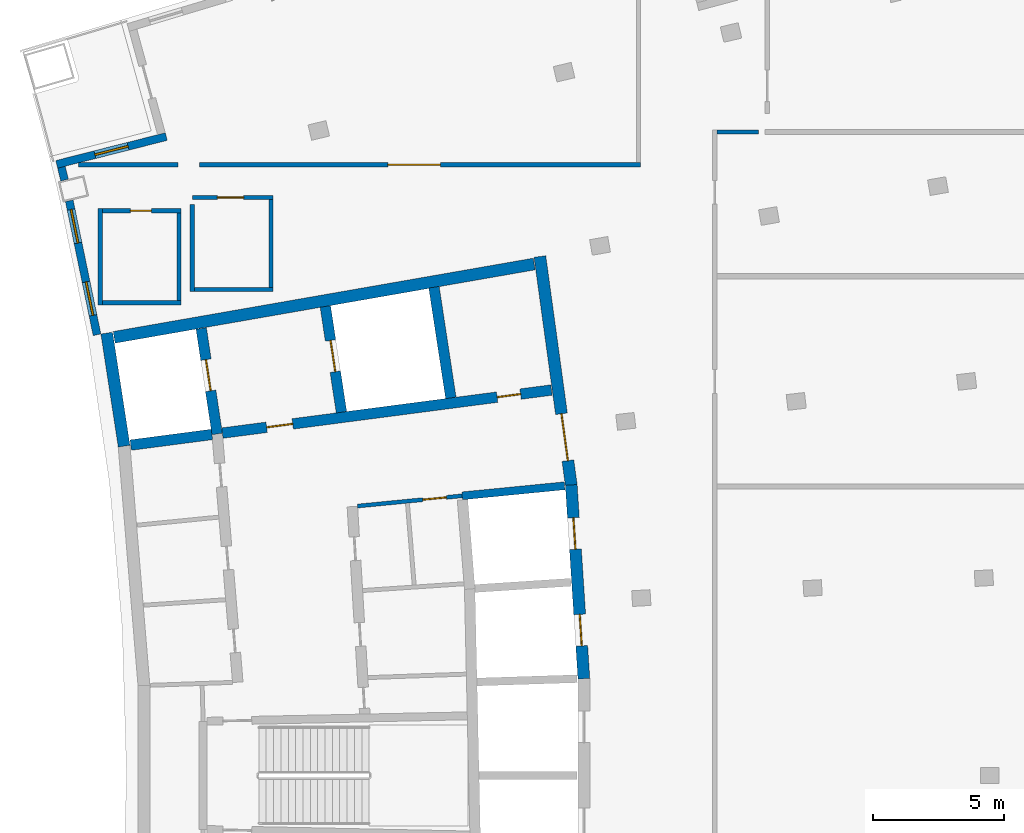
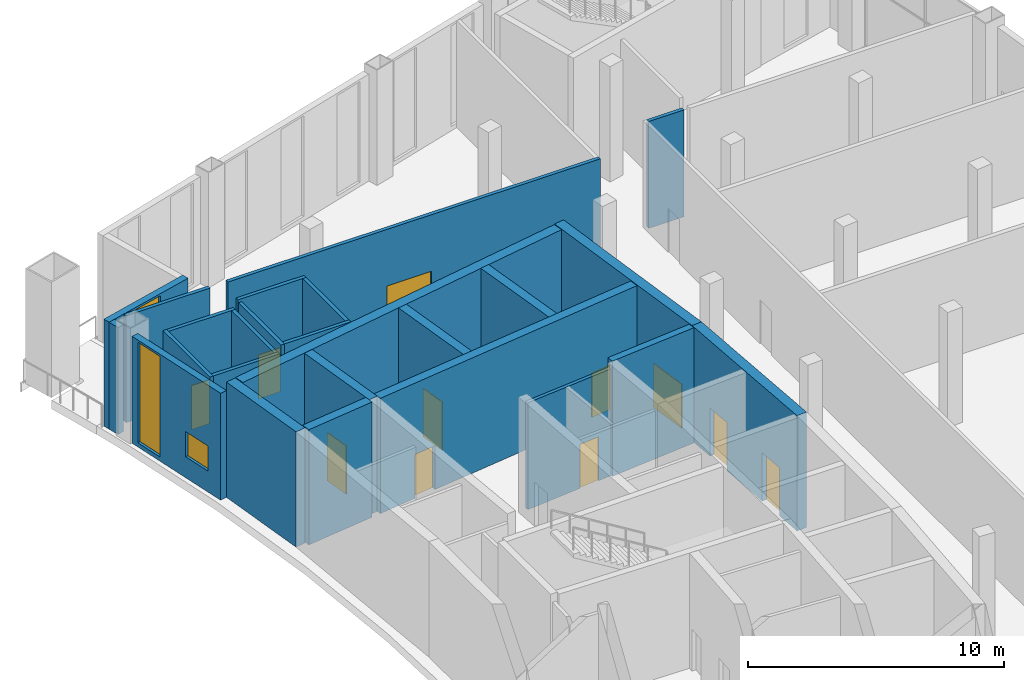
# One storey, part 9 of 13: 25 walls, 11 doors, 3 windows, 14 openings.
"""IFC4 building model written with IfcOpenShell, lengths in metres."""

import ifcopenshell
import ifcopenshell.guid

model = None  # the IFC model being written
_history = None  # IfcOwnerHistory: only IFC2X3 demands one
_inside = {}  # id of a spatial element -> (the spatial element, [elements in it])
_under = {}  # id of a project, library or spatial element -> (it, [spatial elements below it])
_declared = {}  # id of a project -> (the project, [libraries it declares])
_typed = {}  # id of a type object -> (the type object, [elements of that type])
_made_of = {}  # id of a material, layer set ... -> (it, [elements and type objects made of it])


def new_model(schema):
    """Start an empty IFC model of exactly this schema.

    Asked for "IFC4X3", IfcOpenShell would pick the latest addendum, in which some entities
    have other attributes; the version numbers below select the first issue.
    IFC2X3 requires an IfcOwnerHistory on every rooted entity: one is made here for all.
    """
    global model, _history
    if schema == "IFC4X3":
        model = ifcopenshell.file(schema_version=(4, 3, 0, 0))
    else:
        model = ifcopenshell.file(schema=schema)
    _inside.clear()
    _under.clear()
    _declared.clear()
    _typed.clear()
    _made_of.clear()
    _history = None
    if model.schema == "IFC2X3":
        org = make("IfcOrganization", Name="unknown")
        user = make(
            "IfcPersonAndOrganization",
            ThePerson=make("IfcPerson", FamilyName="unknown"),
            TheOrganization=org,
        )
        app = make(
            "IfcApplication",
            ApplicationDeveloper=org,
            Version="unknown",
            ApplicationFullName="unknown",
            ApplicationIdentifier="unknown",
        )
        _history = make(
            "IfcOwnerHistory",
            OwningUser=user,
            OwningApplication=app,
            ChangeAction="ADDED",
            CreationDate=0,
        )
    return model


def make(cls, **values):
    """One entity of the class cls with the attributes given. An attribute that is None is left unset."""
    return model.create_entity(
        cls, **{name: value for name, value in values.items() if value is not None}
    )


def rooted(cls, **values):
    """An entity with a GlobalId (a new one), such as an element, a storey or a relation."""
    return make(cls, GlobalId=ifcopenshell.guid.new(), OwnerHistory=_history, **values)


def si_unit(unit_type, name, prefix=None):
    """IfcSIUnit, for example si_unit("LENGTHUNIT", "METRE", prefix="MILLI")."""
    return make("IfcSIUnit", UnitType=unit_type, Prefix=prefix, Name=name)


def assignment(units):
    """IfcUnitAssignment: the units of a project."""
    return None if units is None else make("IfcUnitAssignment", Units=units)


def point(xyz):
    """IfcCartesianPoint."""
    return None if xyz is None else make("IfcCartesianPoint", Coordinates=xyz)


def direction(xyz):
    """IfcDirection."""
    return None if xyz is None else make("IfcDirection", DirectionRatios=xyz)


def frame(location, z_axis=None, x_axis=None):
    """IfcAxis2Placement3D, a coordinate frame: its origin and axes. An axis left out is left unset."""
    return make(
        "IfcAxis2Placement3D",
        Location=point(location),
        Axis=direction(z_axis),
        RefDirection=direction(x_axis),
    )


def frame_2d(location, x_axis=None):
    """IfcAxis2Placement2D, a coordinate frame in the plane: its origin and x axis."""
    return make(
        "IfcAxis2Placement2D", Location=point(location), RefDirection=direction(x_axis)
    )


def origin():
    """The frame at (0, 0, 0) with its axes left unset."""
    return frame((0.0, 0.0, 0.0))


def place(relative_to, where):
    """IfcLocalPlacement: puts the frame where relative to a parent placement (None: the world)."""
    return make(
        "IfcLocalPlacement", PlacementRelTo=relative_to, RelativePlacement=where
    )


def context(
    kind, dimensions, precision=None, world=None, true_north=None, identifier=None
):
    """IfcGeometricRepresentationContext, for example the 3D "Model" context."""
    return make(
        "IfcGeometricRepresentationContext",
        ContextIdentifier=identifier,
        ContextType=kind,
        CoordinateSpaceDimension=dimensions,
        Precision=precision,
        WorldCoordinateSystem=world,
        TrueNorth=true_north,
    )


def subcontext(parent, identifier, kind, view, scale=None):
    """IfcGeometricRepresentationSubContext, for example "Body" below "Model"."""
    return make(
        "IfcGeometricRepresentationSubContext",
        ContextIdentifier=identifier,
        ContextType=kind,
        ParentContext=parent,
        TargetScale=scale,
        TargetView=view,
    )


def project(units=None, contexts=None):
    """IfcProject with its units and contexts."""
    return rooted(
        "IfcProject",
        Name="project",
        RepresentationContexts=contexts,
        UnitsInContext=assignment(units),
    )


def spatial(cls, under=None, at=None, **own):
    """A site, building, storey or space (cls), placed at a placement, below another one or the project."""
    s = rooted(cls, ObjectPlacement=at, **own)
    if under is not None:
        _under.setdefault(under.id(), (under, []))[1].append(s)
    return s


def profile(cls, at=None, kind="AREA", **sizes):
    """A parametric profile (cls). Its sizes go by their IFC names, for example OverallWidth=200.0."""
    return make(cls, ProfileType=kind, Position=at, **sizes)


def rectangle(**sizes):
    """IfcRectangleProfileDef."""
    return profile("IfcRectangleProfileDef", **sizes)


def extrude(swept, where, along, depth):
    """IfcExtrudedAreaSolid: the profile swept, set in the frame where, extruded along a direction by depth."""
    return make(
        "IfcExtrudedAreaSolid",
        SweptArea=swept,
        Position=where,
        ExtrudedDirection=direction(along),
        Depth=depth,
    )


def shape(context_of_items, identifier, shape_type, items):
    """IfcShapeRepresentation: the items that make up one representation, for example the "Body"."""
    return make(
        "IfcShapeRepresentation",
        ContextOfItems=context_of_items,
        RepresentationIdentifier=identifier,
        RepresentationType=shape_type,
        Items=items,
    )


def material(Name=None, Category=None):
    """IfcMaterial."""
    return make("IfcMaterial", Name=Name, Category=Category)


def layer(
    of_material, thickness, ventilated=None, Name=None, Category=None, Priority=None
):
    """IfcMaterialLayer: one layer of a wall or slab, of a material (None: an air gap)."""
    return make(
        "IfcMaterialLayer",
        Material=of_material,
        LayerThickness=thickness,
        IsVentilated=ventilated,
        Name=Name,
        Category=Category,
        Priority=Priority,
    )


def layer_set(layers, Name=None):
    """IfcMaterialLayerSet."""
    return make("IfcMaterialLayerSet", MaterialLayers=layers, LayerSetName=Name)


def made_of(thing, what):
    """Note that an element or type object is made of a material, layer set ...; save() writes the relation."""
    if what is not None:
        _made_of.setdefault(what.id(), (what, []))[1].append(thing)
    return thing


def type_object(cls, material=None, **own):
    """A type object (cls), such as IfcWallType, which elements share."""
    return made_of(rooted(cls, **own), material)


def element(
    cls,
    number,
    at=None,
    inside=None,
    cuts=None,
    type_object=None,
    material=None,
    context=None,
    identifier="Body",
    shape_type=None,
    held_by="IfcProductDefinitionShape",
    body=None,
    shapes=None,
    **own,
):
    """One element of the class cls, such as IfcWall. Its Tag is "e" and its number.

    at: its placement. inside: the storey or other place that contains it. cuts: it is an
    opening in that element (IfcRelVoidsElement). A single representation is given by context,
    identifier, shape_type and body (its items); several are given by shapes. held_by: the class
    of the entity that holds the representations. save() writes the other relations.
    """
    e = rooted(cls, Tag="e%d" % number, ObjectPlacement=at, **own)
    if body is not None:
        shapes = [shape(context, identifier, shape_type, body)]
    if shapes is not None:
        e.Representation = make(held_by, Representations=shapes)
    if inside is not None:
        _inside.setdefault(inside.id(), (inside, []))[1].append(e)
    if cuts is not None:
        rooted(
            "IfcRelVoidsElement", RelatingBuildingElement=cuts, RelatedOpeningElement=e
        )
    if type_object is not None:
        _typed.setdefault(type_object.id(), (type_object, []))[1].append(e)
    return made_of(e, material)


def fill(opening, filler):
    """IfcRelFillsElement: the door or window that sits in an opening."""
    return rooted(
        "IfcRelFillsElement",
        RelatingOpeningElement=opening,
        RelatedBuildingElement=filler,
    )


def aggregate(whole, parts):
    """IfcRelAggregates: a whole, such as a stair, and the parts it consists of."""
    return rooted("IfcRelAggregates", RelatingObject=whole, RelatedObjects=parts)


def save(model, path):
    """Write the relations noted so far, then the file.

    IfcRelAggregates (storeys below a building ...), IfcRelContainedInSpatialStructure (elements
    in a storey), IfcRelDefinesByType, IfcRelAssociatesMaterial and IfcRelDeclares: one each for
    every whole, place, type object, material and project.
    """
    for whole, parts in _under.values():
        aggregate(whole, parts)
    for where, things in _inside.values():
        rooted(
            "IfcRelContainedInSpatialStructure",
            RelatedElements=things,
            RelatingStructure=where,
        )
    for kind, things in _typed.values():
        rooted("IfcRelDefinesByType", RelatedObjects=things, RelatingType=kind)
    for what, things in _made_of.values():
        rooted("IfcRelAssociatesMaterial", RelatedObjects=things, RelatingMaterial=what)
    for by, libraries in _declared.values():
        rooted("IfcRelDeclares", RelatingContext=by, RelatedDefinitions=libraries)
    model.write(path)


model = new_model("IFC4")

# Units and contexts
model_context = context("Model", 3, precision=1e-05, world=origin(), true_north=direction((0.0, 1.0)))
body_context = subcontext(model_context, "Body", "Model", "MODEL_VIEW")
ifc_project = project(units=[si_unit("LENGTHUNIT", "METRE"), si_unit("AREAUNIT", "SQUARE_METRE"), si_unit("VOLUMEUNIT", "CUBIC_METRE"), si_unit("PLANEANGLEUNIT", "RADIAN"), si_unit("MASSUNIT", "GRAM", prefix="KILO")], contexts=[model_context])

# Site, building, storey
site_placement = place(None, origin())
site = spatial("IfcSite", under=ifc_project, at=site_placement, CompositionType="ELEMENT")
building_placement = place(site_placement, origin())
building = spatial("IfcBuilding", under=site, at=building_placement, Name="Alderwake Tower", CompositionType="ELEMENT")
storey_placement = place(building_placement, frame((0.0, 0.0, 304.5)))
storey = spatial("IfcBuildingStorey", under=building, at=storey_placement, Name="L74", CompositionType="ELEMENT", Elevation=304.5)

# Wall, opening, door
ifc_material_1 = material(Name="Gypsum shaft wall system, rated")
ifc_layer_1 = layer(ifc_material_1, 0.14990234375)
ifc_layer_set_1 = layer_set([ifc_layer_1], Name="Core room partition 150")
wall_type_1 = type_object("IfcWallType", Name="Core room partition 150", PredefinedType="PARTITIONING", material=ifc_layer_set_1)
wall_1_placement = place(storey_placement, frame((28.780517578125, 71.644287109375, 0.0), z_axis=(0.0, 0.0, 1.0), x_axis=(-0.995250000627, -0.097352125046, 0.0)))
wall_1 = element("IfcWall", 1, at=wall_1_placement, inside=storey, type_object=wall_type_1, Name="CW/L74/PR+102_+86", PredefinedType="PARTITIONING", context=body_context, shape_type="SweptSolid", body=[
    extrude(rectangle(XDim=4.0, YDim=0.14990234375, at=frame_2d((2.0, 0.0))), origin(), (0.0, 0.0, 1.0), 5.10009765625),
])
opening_1_placement = place(wall_1_placement, frame((0.60009765625, 0.0, 0.0)))
opening_1 = element("IfcOpeningElement", 2, at=opening_1_placement, cuts=wall_1, Name="Opening C022", PredefinedType="OPENING", context=body_context, shape_type="SweptSolid", body=[
    extrude(rectangle(XDim=0.89990234375, YDim=2.10009765625, at=frame_2d((0.449951171875, 1.050048828125))), frame((0.0, 0.0849609375, 0.0), z_axis=(0.0, -1.0, 0.0), x_axis=(1.0, 0.0, 0.0)), (0.0, 0.0, 1.0), 0.169921875),
])
ifc_material_2 = material(Name="Painted steel leaf", Category="steel")
door_type_1 = type_object("IfcDoorType", Name="Core room door 900", OperationType="SINGLE_SWING_LEFT", PredefinedType="DOOR", material=ifc_material_2)
door_1_placement = place(opening_1_placement, origin())
door_1 = element("IfcDoor", 3, at=door_1_placement, inside=storey, type_object=door_type_1, Name="Room door", OperationType="SINGLE_SWING_RIGHT", OverallHeight=2.10009765625, OverallWidth=0.89990234375, PredefinedType="DOOR", context=body_context, shape_type="SweptSolid", body=[
    extrude(rectangle(XDim=0.89990234375, YDim=2.10009765625, at=frame_2d((0.449951171875, 1.050048828125))), frame((0.0, 0.02490234375, 0.0), z_axis=(0.0, -1.0, 0.0), x_axis=(1.0, 0.0, 0.0)), (0.0, 0.0, 1.0), 0.050048828125),
])
fill(opening_1, door_1)

# Wall
ifc_material_3 = material(Name="Concrete C70/85", Category="concrete")
ifc_layer_2 = layer(ifc_material_3, 0.449951171875)
ifc_layer_set_2 = layer_set([ifc_layer_2], Name="Core wall outer 450 C70-85")
wall_type_2 = type_object("IfcWallType", Name="Core wall outer 450 C70-85", PredefinedType="SHEAR", material=ifc_layer_set_2)
wall_2_placement = place(storey_placement, frame((15.909423828125, 73.535888671875, 0.0), z_axis=(0.0, 0.0, 1.0), x_axis=(-0.151913962362, 0.988393721166, 0.0)))
element("IfcWall", 4, at=wall_2_placement, inside=storey, type_object=wall_type_2, Name="Core wall CW.025", PredefinedType="SHEAR", context=body_context, shape_type="SweptSolid", body=[
    extrude(rectangle(XDim=4.355224609375, YDim=0.449951171875, at=frame_2d((2.177734375, 0.0))), origin(), (0.0, 0.0, 1.0), 5.5),
])

# Wall, openings, doors
wall_3_placement = place(storey_placement, frame((33.41552734375, 64.680908203125, 0.0), z_axis=(0.0, 0.0, 1.0), x_axis=(-0.064980500916, 0.997886533881, 0.0)))
wall_3 = element("IfcWall", 5, at=wall_3_placement, inside=storey, type_object=wall_type_2, Name="Core wall CW.020", PredefinedType="SHEAR", context=body_context, shape_type="SweptSolid", body=[
    extrude(rectangle(XDim=7.39404296875, YDim=0.449951171875, at=frame_2d((3.697021484375, 0.0))), origin(), (0.0, 0.0, 1.0), 5.5),
])
opening_2_placement = place(wall_3_placement, frame((1.251953125, 0.0, 0.0)))
opening_2 = element("IfcOpeningElement", 6, at=opening_2_placement, cuts=wall_3, Name="Opening LD-HP5", PredefinedType="OPENING", context=body_context, shape_type="SweptSolid", body=[
    extrude(rectangle(XDim=1.199951171875, YDim=2.300048828125, at=frame_2d((0.60009765625, 1.14990234375))), frame((0.0, 0.23486328125, 0.0), z_axis=(0.0, -1.0, 0.0), x_axis=(1.0, 0.0, 0.0)), (0.0, 0.0, 1.0), 0.469970703125),
])
opening_3_placement = place(wall_3_placement, frame((4.94140625, 0.0, 0.0)))
opening_3 = element("IfcOpeningElement", 7, at=opening_3_placement, cuts=wall_3, Name="Opening LD-HP6", PredefinedType="OPENING", context=body_context, shape_type="SweptSolid", body=[
    extrude(rectangle(XDim=1.199951171875, YDim=2.300048828125, at=frame_2d((0.60009765625, 1.14990234375))), frame((0.0, 0.23486328125, 0.0), z_axis=(0.0, -1.0, 0.0), x_axis=(1.0, 0.0, 0.0)), (0.0, 0.0, 1.0), 0.469970703125),
])
ifc_material_4 = material(Name="Stainless steel sliding leaf", Category="steel")
door_type_2 = type_object("IfcDoorType", Name="Lift landing door 1200", OperationType="SLIDING_TO_LEFT", PredefinedType="DOOR", material=ifc_material_4)
door_2_placement = place(opening_2_placement, origin())
door_2 = element("IfcDoor", 8, at=door_2_placement, inside=storey, type_object=door_type_2, Name="Lift landing door HP5", OperationType="SLIDING_TO_LEFT", OverallHeight=2.300048828125, OverallWidth=1.199951171875, PredefinedType="DOOR", context=body_context, shape_type="SweptSolid", body=[
    extrude(rectangle(XDim=1.199951171875, YDim=2.300048828125, at=frame_2d((0.60009765625, 1.14990234375))), frame((0.0, 0.02490234375, 0.0), z_axis=(0.0, -1.0, 0.0), x_axis=(1.0, 0.0, 0.0)), (0.0, 0.0, 1.0), 0.050048828125),
])
fill(opening_2, door_2)
door_3_placement = place(opening_3_placement, origin())
door_3 = element("IfcDoor", 9, at=door_3_placement, inside=storey, type_object=door_type_2, Name="Lift landing door HP6", OperationType="SLIDING_TO_LEFT", OverallHeight=2.300048828125, OverallWidth=1.199951171875, PredefinedType="DOOR", context=body_context, shape_type="SweptSolid", body=[
    extrude(rectangle(XDim=1.199951171875, YDim=2.300048828125, at=frame_2d((0.60009765625, 1.14990234375))), frame((0.0, 0.02490234375, 0.0), z_axis=(0.0, -1.0, 0.0), x_axis=(1.0, 0.0, 0.0)), (0.0, 0.0, 1.0), 0.050048828125),
])
fill(opening_3, door_3)

# Wall, opening, door
wall_4_placement = place(storey_placement, frame((31.74169921875, 80.7568359375, 0.0), z_axis=(0.0, 0.0, 1.0), x_axis=(0.135866240661, -0.99072718982, 0.0)))
wall_4 = element("IfcWall", 10, at=wall_4_placement, inside=storey, type_object=wall_type_2, Name="Core wall CW.019", PredefinedType="SHEAR", context=body_context, shape_type="SweptSolid", body=[
    extrude(rectangle(XDim=8.7958984375, YDim=0.449951171875, at=frame_2d((4.39794921875, 0.0))), origin(), (0.0, 0.0, 1.0), 5.5),
])
opening_4_placement = place(wall_4_placement, frame((6.043701171875, 0.0, 0.0)))
opening_4 = element("IfcOpeningElement", 11, at=opening_4_placement, cuts=wall_4, Name="Opening C001", PredefinedType="OPENING", context=body_context, shape_type="SweptSolid", body=[
    extrude(rectangle(XDim=1.800048828125, YDim=2.10009765625, at=frame_2d((0.89990234375, 1.050048828125))), frame((0.0, 0.23486328125, 0.0), z_axis=(0.0, -1.0, 0.0), x_axis=(1.0, 0.0, 0.0)), (0.0, 0.0, 1.0), 0.469970703125),
])
ifc_material_5 = material(Name="Steel-framed fire door leaves", Category="steel")
door_type_3 = type_object("IfcDoorType", Name="Core double door 1800 fire-rated", OperationType="DOUBLE_DOOR_SINGLE_SWING", PredefinedType="DOOR", material=ifc_material_5)
door_4_placement = place(opening_4_placement, origin())
door_4 = element("IfcDoor", 12, at=door_4_placement, inside=storey, type_object=door_type_3, Name="Lobby double door", OperationType="DOUBLE_DOOR_SINGLE_SWING", OverallHeight=2.10009765625, OverallWidth=1.800048828125, PredefinedType="DOOR", context=body_context, shape_type="SweptSolid", body=[
    extrude(rectangle(XDim=1.800048828125, YDim=2.10009765625, at=frame_2d((0.89990234375, 1.050048828125))), frame((0.0, 0.02490234375, 0.0), z_axis=(0.0, -1.0, 0.0), x_axis=(1.0, 0.0, 0.0)), (0.0, 0.0, 1.0), 0.050048828125),
])
fill(opening_4, door_4)

# Walls
wall_5_placement = place(storey_placement, frame((15.530517578125, 77.6787109375, 0.0), z_axis=(0.0, 0.0, 1.0), x_axis=(0.985099076065, 0.171987820311, 0.0)))
element("IfcWall", 13, at=wall_5_placement, inside=storey, type_object=wall_type_2, Name="Core wall CW.056", PredefinedType="SHEAR", context=body_context, shape_type="SweptSolid", body=[
    extrude(rectangle(XDim=16.235107421875, YDim=0.449951171875, at=frame_2d((8.11767578125, 0.0))), origin(), (0.0, 0.0, 1.0), 5.5),
])
ifc_material_6 = material(Name="Concrete C70/85", Category="concrete")
ifc_layer_3 = layer(ifc_material_6, 0.300048828125)
ifc_layer_set_3 = layer_set([ifc_layer_3], Name="Core wall shaft 300 C70-85")
wall_type_3 = type_object("IfcWallType", Name="Core wall shaft 300 C70-85", PredefinedType="SHEAR", material=ifc_layer_set_3)
wall_6_placement = place(storey_placement, frame((28.780517578125, 71.644287109375, 0.0), z_axis=(0.0, 0.0, 1.0), x_axis=(0.995244048052, 0.097412960207, 0.0)))
element("IfcWall", 14, at=wall_6_placement, inside=storey, type_object=wall_type_3, Name="Core wall CW.049", PredefinedType="SHEAR", context=body_context, shape_type="SweptSolid", body=[
    extrude(rectangle(XDim=3.919677734375, YDim=0.300048828125, at=frame_2d((1.9599609375, 0.0))), origin(), (0.0, 0.0, 1.0), 5.5),
])

# Wall, opening, door
ifc_material_7 = material(Name="Concrete C70/85", Category="concrete")
ifc_layer_4 = layer(ifc_material_7, 0.39990234375)
ifc_layer_set_4 = layer_set([ifc_layer_4], Name="Core wall spine 400 C70-85")
wall_type_4 = type_object("IfcWallType", Name="Core wall spine 400 C70-85", PredefinedType="SHEAR", material=ifc_layer_set_4)
wall_7_placement = place(storey_placement, frame((19.4541015625, 74.00048828125, 0.0), z_axis=(0.0, 0.0, 1.0), x_axis=(-0.149723541031, 0.988727900517, 0.0)))
wall_7 = element("IfcWall", 15, at=wall_7_placement, inside=storey, type_object=wall_type_4, Name="Core wall CW.030", PredefinedType="SHEAR", context=body_context, shape_type="SweptSolid", body=[
    extrude(rectangle(XDim=4.065185546875, YDim=0.39990234375, at=frame_2d((2.03271484375, 0.0))), origin(), (0.0, 0.0, 1.0), 5.5),
])
opening_5_placement = place(wall_7_placement, frame((1.6611328125, 0.0, 0.0)))
opening_5 = element("IfcOpeningElement", 16, at=opening_5_placement, cuts=wall_7, Name="Opening LD-FF1", PredefinedType="OPENING", context=body_context, shape_type="SweptSolid", body=[
    extrude(rectangle(XDim=1.199951171875, YDim=2.300048828125, at=frame_2d((0.60009765625, 1.14990234375))), frame((0.0, 0.2099609375, 0.0), z_axis=(0.0, -1.0, 0.0), x_axis=(1.0, 0.0, 0.0)), (0.0, 0.0, 1.0), 0.419921875),
])
door_5_placement = place(opening_5_placement, origin())
door_5 = element("IfcDoor", 17, at=door_5_placement, inside=storey, type_object=door_type_2, Name="Lift landing door FF1", OperationType="SLIDING_TO_LEFT", OverallHeight=2.300048828125, OverallWidth=1.199951171875, PredefinedType="DOOR", context=body_context, shape_type="SweptSolid", body=[
    extrude(rectangle(XDim=1.199951171875, YDim=2.300048828125, at=frame_2d((0.60009765625, 1.14990234375))), frame((0.0, 0.02490234375, 0.0), z_axis=(0.0, -1.0, 0.0), x_axis=(1.0, 0.0, 0.0)), (0.0, 0.0, 1.0), 0.050048828125),
])
fill(opening_5, door_5)

wall_8_placement = place(storey_placement, frame((24.186279296875, 74.82861328125, 0.0), z_axis=(0.0, 0.0, 1.0), x_axis=(-0.150737431454, 0.988573834753, 0.0)))
wall_8 = element("IfcWall", 18, at=wall_8_placement, inside=storey, type_object=wall_type_4, Name="Core wall CW.044", PredefinedType="SHEAR", context=body_context, shape_type="SweptSolid", body=[
    extrude(rectangle(XDim=4.073486328125, YDim=0.39990234375, at=frame_2d((2.03662109375, 0.0))), origin(), (0.0, 0.0, 1.0), 5.5),
])
opening_6_placement = place(wall_8_placement, frame((1.561767578125, 0.0, 0.0)))
opening_6 = element("IfcOpeningElement", 19, at=opening_6_placement, cuts=wall_8, Name="Opening LD-FF2", PredefinedType="OPENING", context=body_context, shape_type="SweptSolid", body=[
    extrude(rectangle(XDim=1.199951171875, YDim=2.300048828125, at=frame_2d((0.60009765625, 1.14990234375))), frame((0.0, 0.2099609375, 0.0), z_axis=(0.0, -1.0, 0.0), x_axis=(1.0, 0.0, 0.0)), (0.0, 0.0, 1.0), 0.419921875),
])
door_6_placement = place(opening_6_placement, origin())
door_6 = element("IfcDoor", 20, at=door_6_placement, inside=storey, type_object=door_type_2, Name="Lift landing door FF2", OperationType="SLIDING_TO_LEFT", OverallHeight=2.300048828125, OverallWidth=1.199951171875, PredefinedType="DOOR", context=body_context, shape_type="SweptSolid", body=[
    extrude(rectangle(XDim=1.199951171875, YDim=2.300048828125, at=frame_2d((0.60009765625, 1.14990234375))), frame((0.0, 0.02490234375, 0.0), z_axis=(0.0, -1.0, 0.0), x_axis=(1.0, 0.0, 0.0)), (0.0, 0.0, 1.0), 0.050048828125),
])
fill(opening_6, door_6)

# Walls
wall_9_placement = place(storey_placement, frame((28.350830078125, 75.373291015625, 0.0), z_axis=(0.0, 0.0, 1.0), x_axis=(-0.150821709432, 0.988560980397, 0.0)))
element("IfcWall", 21, at=wall_9_placement, inside=storey, type_object=wall_type_4, Name="Core wall CW.001", PredefinedType="SHEAR", context=body_context, shape_type="SweptSolid", body=[
    extrude(rectangle(XDim=4.26220703125, YDim=0.39990234375, at=frame_2d((2.131103515625, 0.0))), origin(), (0.0, 0.0, 1.0), 5.5),
])
wall_10_placement = place(storey_placement, frame((16.1611328125, 73.5771484375, 0.0), z_axis=(0.0, 0.0, 1.0), x_axis=(0.991556277718, 0.129677091727, 0.0)))
element("IfcWall", 22, at=wall_10_placement, inside=storey, type_object=wall_type_4, Name="Core wall CW.051", PredefinedType="SHEAR", context=body_context, shape_type="SweptSolid", body=[
    extrude(rectangle(XDim=3.11962890625, YDim=0.39990234375, at=frame_2d((1.559814453125, 0.0))), origin(), (0.0, 0.0, 1.0), 5.5),
])

# Wall, openings, doors
wall_11_placement = place(storey_placement, frame((32.181640625, 75.672607421875, 0.0), z_axis=(0.0, 0.0, 1.0), x_axis=(-0.991554022973, -0.129694331123, 0.0)))
wall_11 = element("IfcWall", 23, at=wall_11_placement, inside=storey, type_object=wall_type_4, Name="Core wall CW.052", PredefinedType="SHEAR", context=body_context, shape_type="SweptSolid", body=[
    extrude(rectangle(XDim=12.63671875, YDim=0.39990234375, at=frame_2d((6.318359375, 0.0))), origin(), (0.0, 0.0, 1.0), 5.5),
])
opening_7_placement = place(wall_11_placement, frame((9.93701171875, 0.0, 0.0)))
opening_7 = element("IfcOpeningElement", 24, at=opening_7_placement, cuts=wall_11, Name="Opening C002", PredefinedType="OPENING", context=body_context, shape_type="SweptSolid", body=[
    extrude(rectangle(XDim=1.0, YDim=2.10009765625, at=frame_2d((0.5, 1.050048828125))), frame((0.0, 0.2099609375, 0.0), z_axis=(0.0, -1.0, 0.0), x_axis=(1.0, 0.0, 0.0)), (0.0, 0.0, 1.0), 0.419921875),
])
opening_8_placement = place(wall_11_placement, frame((1.18701171875, 0.0, 0.0)))
opening_8 = element("IfcOpeningElement", 25, at=opening_8_placement, cuts=wall_11, Name="Opening C020", PredefinedType="OPENING", context=body_context, shape_type="SweptSolid", body=[
    extrude(rectangle(XDim=0.89990234375, YDim=2.10009765625, at=frame_2d((0.449951171875, 1.050048828125))), frame((0.0, 0.2099609375, 0.0), z_axis=(0.0, -1.0, 0.0), x_axis=(1.0, 0.0, 0.0)), (0.0, 0.0, 1.0), 0.419921875),
])
door_7_placement = place(opening_8_placement, origin())
door_7 = element("IfcDoor", 26, at=door_7_placement, inside=storey, type_object=door_type_1, Name="Room door", OperationType="SINGLE_SWING_LEFT", OverallHeight=2.10009765625, OverallWidth=0.89990234375, PredefinedType="DOOR", context=body_context, shape_type="SweptSolid", body=[
    extrude(rectangle(XDim=0.89990234375, YDim=2.10009765625, at=frame_2d((0.449951171875, 1.050048828125))), frame((0.0, 0.02490234375, 0.0), z_axis=(0.0, -1.0, 0.0), x_axis=(1.0, 0.0, 0.0)), (0.0, 0.0, 1.0), 0.050048828125),
])
fill(opening_8, door_7)
ifc_material_8 = material(Name="Steel-framed fire door leaf", Category="steel")
door_type_4 = type_object("IfcDoorType", Name="Firefighting lobby door 1000 fire-rated", OperationType="SINGLE_SWING_LEFT", PredefinedType="DOOR", material=ifc_material_8)
door_8_placement = place(opening_7_placement, origin())
door_8 = element("IfcDoor", 27, at=door_8_placement, inside=storey, type_object=door_type_4, Name="Firefighting lobby door", OperationType="SINGLE_SWING_RIGHT", OverallHeight=2.10009765625, OverallWidth=1.0, PredefinedType="DOOR", context=body_context, shape_type="SweptSolid", body=[
    extrude(rectangle(XDim=1.0, YDim=2.10009765625, at=frame_2d((0.5, 1.050048828125))), frame((0.0, 0.02490234375, 0.0), z_axis=(0.0, -1.0, 0.0), x_axis=(1.0, 0.0, 0.0)), (0.0, 0.0, 1.0), 0.050048828125),
])
fill(opening_7, door_8)

# Wall
ifc_material_9 = material(Name="Gypsum board on metal studs, rated")
ifc_layer_5 = layer(ifc_material_9, 0.159912109375)
ifc_layer_set_5 = layer_set([ifc_layer_5], Name="Corridor wall 160")
wall_type_5 = type_object("IfcWallType", Name="Corridor wall 160", PredefinedType="PARTITIONING", material=ifc_layer_set_5)
wall_12_placement = place(storey_placement, frame((15.0, 82.580078125, 0.0), z_axis=(0.0, 0.0, 1.0), x_axis=(0.0, -1.0, 0.0)))
element("IfcWall", 28, at=wall_12_placement, inside=storey, type_object=wall_type_5, Name="WL/L74/W09", PredefinedType="PARTITIONING", context=body_context, shape_type="SweptSolid", body=[
    extrude(rectangle(XDim=3.6611328125, YDim=0.159912109375, at=frame_2d((1.83056640625, 0.0))), origin(), (0.0, 0.0, 1.0), 5.10009765625),
])

# Wall, opening, door
wall_13_placement = place(storey_placement, frame((15.080078125, 82.5, 0.0), z_axis=(0.0, 0.0, 1.0), x_axis=(1.0, 0.0, 0.0)))
wall_13 = element("IfcWall", 29, at=wall_13_placement, inside=storey, type_object=wall_type_5, Name="WL/L74/W10", PredefinedType="PARTITIONING", context=body_context, shape_type="SweptSolid", body=[
    extrude(rectangle(XDim=3.0, YDim=0.159912109375, at=frame_2d((1.5, 0.0))), origin(), (0.0, 0.0, 1.0), 5.10009765625),
])
opening_9_placement = place(wall_13_placement, frame((1.070068359375, 0.0, 0.0)))
opening_9 = element("IfcOpeningElement", 30, at=opening_9_placement, cuts=wall_13, Name="Opening L74-09", PredefinedType="OPENING", context=body_context, shape_type="SweptSolid", body=[
    extrude(rectangle(XDim=0.800048828125, YDim=2.10009765625, at=frame_2d((0.39990234375, 1.050048828125))), frame((0.0, 0.08984375, 0.0), z_axis=(0.0, -1.0, 0.0), x_axis=(1.0, 0.0, 0.0)), (0.0, 0.0, 1.0), 0.179931640625),
])
ifc_material_10 = material(Name="Painted timber leaf", Category="wood")
door_type_5 = type_object("IfcDoorType", Name="Bathroom door 800", OperationType="SINGLE_SWING_LEFT", PredefinedType="DOOR", material=ifc_material_10)
door_9_placement = place(opening_9_placement, origin())
door_9 = element("IfcDoor", 31, at=door_9_placement, inside=storey, type_object=door_type_5, Name="DR/L74/09", OperationType="SINGLE_SWING_LEFT", OverallHeight=2.10009765625, OverallWidth=0.800048828125, PredefinedType="DOOR", context=body_context, shape_type="SweptSolid", body=[
    extrude(rectangle(XDim=0.800048828125, YDim=2.10009765625, at=frame_2d((0.39990234375, 1.050048828125))), frame((0.0, 0.02490234375, 0.0), z_axis=(0.0, -1.0, 0.0), x_axis=(1.0, 0.0, 0.0)), (0.0, 0.0, 1.0), 0.050048828125),
])
fill(opening_9, door_9)

# Walls
wall_14_placement = place(storey_placement, frame((18.080078125, 78.9990234375, 0.0), z_axis=(0.0, 0.0, 1.0), x_axis=(-1.0, 0.0, 0.0)))
element("IfcWall", 32, at=wall_14_placement, inside=storey, type_object=wall_type_5, Name="WL/L74/W12", PredefinedType="PARTITIONING", context=body_context, shape_type="SweptSolid", body=[
    extrude(rectangle(XDim=3.0, YDim=0.159912109375, at=frame_2d((1.5, 0.0))), origin(), (0.0, 0.0, 1.0), 5.10009765625),
])
wall_15_placement = place(storey_placement, frame((18.0, 82.419921875, 0.0), z_axis=(0.0, 0.0, 1.0), x_axis=(0.0, -1.0, 0.0)))
element("IfcWall", 33, at=wall_15_placement, inside=storey, type_object=wall_type_5, Name="WL/L74/W13", PredefinedType="PARTITIONING", context=body_context, shape_type="SweptSolid", body=[
    extrude(rectangle(XDim=3.3408203125, YDim=0.159912109375, at=frame_2d((1.67041015625, 0.0))), origin(), (0.0, 0.0, 1.0), 5.10009765625),
])
wall_16_placement = place(storey_placement, frame((17.968994140625, 84.2490234375, 0.0), z_axis=(0.0, 0.0, 1.0), x_axis=(-1.0, 0.0, 0.0)))
element("IfcWall", 34, at=wall_16_placement, inside=storey, type_object=wall_type_5, Name="WL/L74/W14", PredefinedType="PARTITIONING", context=body_context, shape_type="SweptSolid", body=[
    extrude(rectangle(XDim=3.799072265625, YDim=0.159912109375, at=frame_2d((1.8994140625, 0.0))), origin(), (0.0, 0.0, 1.0), 5.10009765625),
])
wall_17_placement = place(storey_placement, frame((18.5009765625, 79.419921875, 0.0), z_axis=(0.0, 0.0, 1.0), x_axis=(0.0, 1.0, 0.0)))
element("IfcWall", 35, at=wall_17_placement, inside=storey, type_object=wall_type_5, Name="WL/L74/W15", PredefinedType="PARTITIONING", context=body_context, shape_type="SweptSolid", body=[
    extrude(rectangle(XDim=3.320068359375, YDim=0.159912109375, at=frame_2d((1.66015625, 0.0))), origin(), (0.0, 0.0, 1.0), 5.10009765625),
])

# Wall, opening, door
wall_18_placement = place(storey_placement, frame((18.510009765625, 83.0009765625, 0.0), z_axis=(0.0, 0.0, 1.0), x_axis=(1.0, 0.0, 0.0)))
wall_18 = element("IfcWall", 36, at=wall_18_placement, inside=storey, type_object=wall_type_5, Name="WL/L74/W16", PredefinedType="PARTITIONING", context=body_context, shape_type="SweptSolid", body=[
    extrude(rectangle(XDim=3.071044921875, YDim=0.159912109375, at=frame_2d((1.53564453125, 0.0))), origin(), (0.0, 0.0, 1.0), 5.10009765625),
])
opening_10_placement = place(wall_18_placement, frame((0.949951171875, 0.0, 0.0)))
opening_10 = element("IfcOpeningElement", 37, at=opening_10_placement, cuts=wall_18, Name="Opening L74-10", PredefinedType="OPENING", context=body_context, shape_type="SweptSolid", body=[
    extrude(rectangle(XDim=1.0, YDim=2.10009765625, at=frame_2d((0.5, 1.050048828125))), frame((0.0, 0.08984375, 0.0), z_axis=(0.0, -1.0, 0.0), x_axis=(1.0, 0.0, 0.0)), (0.0, 0.0, 1.0), 0.179931640625),
])
ifc_material_11 = material(Name="Painted timber leaf", Category="wood")
door_type_6 = type_object("IfcDoorType", Name="Accessible WC door 1000", OperationType="SINGLE_SWING_LEFT", PredefinedType="DOOR", material=ifc_material_11)
door_10_placement = place(opening_10_placement, origin())
door_10 = element("IfcDoor", 38, at=door_10_placement, inside=storey, type_object=door_type_6, Name="DR/L74/10", OperationType="SINGLE_SWING_LEFT", OverallHeight=2.10009765625, OverallWidth=1.0, PredefinedType="DOOR", context=body_context, shape_type="SweptSolid", body=[
    extrude(rectangle(XDim=1.0, YDim=2.10009765625, at=frame_2d((0.5, 1.050048828125))), frame((0.0, 0.02490234375, 0.0), z_axis=(0.0, -1.0, 0.0), x_axis=(1.0, 0.0, 0.0)), (0.0, 0.0, 1.0), 0.050048828125),
])
fill(opening_10, door_10)

# Walls
wall_19_placement = place(storey_placement, frame((21.5810546875, 79.5, 0.0), z_axis=(0.0, 0.0, 1.0), x_axis=(-1.0, 0.0, 0.0)))
element("IfcWall", 39, at=wall_19_placement, inside=storey, type_object=wall_type_5, Name="WL/L74/W18", PredefinedType="PARTITIONING", context=body_context, shape_type="SweptSolid", body=[
    extrude(rectangle(XDim=3.0, YDim=0.159912109375, at=frame_2d((1.5, 0.0))), origin(), (0.0, 0.0, 1.0), 5.10009765625),
])
wall_20_placement = place(storey_placement, frame((21.5009765625, 82.9208984375, 0.0), z_axis=(0.0, 0.0, 1.0), x_axis=(0.0, -1.0, 0.0)))
element("IfcWall", 40, at=wall_20_placement, inside=storey, type_object=wall_type_5, Name="WL/L74/W19", PredefinedType="PARTITIONING", context=body_context, shape_type="SweptSolid", body=[
    extrude(rectangle(XDim=3.3408203125, YDim=0.159912109375, at=frame_2d((1.67041015625, 0.0))), origin(), (0.0, 0.0, 1.0), 5.10009765625),
])

# Wall, opening, door
wall_21_placement = place(storey_placement, frame((35.5791015625, 84.2490234375, 0.0), z_axis=(0.0, 0.0, 1.0), x_axis=(-1.0, 0.0, 0.0)))
wall_21 = element("IfcWall", 41, at=wall_21_placement, inside=storey, type_object=wall_type_5, Name="WL/L74/W21", PredefinedType="PARTITIONING", context=body_context, shape_type="SweptSolid", body=[
    extrude(rectangle(XDim=16.802490234375, YDim=0.159912109375, at=frame_2d((8.4013671875, 0.0))), origin(), (0.0, 0.0, 1.0), 5.10009765625),
])
opening_11_placement = place(wall_21_placement, frame((7.62890625, 0.0, 0.0)))
opening_11 = element("IfcOpeningElement", 42, at=opening_11_placement, cuts=wall_21, Name="Opening L74-04", PredefinedType="OPENING", context=body_context, shape_type="SweptSolid", body=[
    extrude(rectangle(XDim=2.0, YDim=2.39990234375, at=frame_2d((1.0, 1.199951171875))), frame((0.0, 0.08984375, 0.0), z_axis=(0.0, -1.0, 0.0), x_axis=(1.0, 0.0, 0.0)), (0.0, 0.0, 1.0), 0.179931640625),
])
ifc_material_12 = material(Name="Timber leaves with glazed panels", Category="wood")
door_type_7 = type_object("IfcDoorType", Name="Hall double door 2000", OperationType="DOUBLE_DOOR_SINGLE_SWING", PredefinedType="DOOR", material=ifc_material_12)
door_11_placement = place(opening_11_placement, origin())
door_11 = element("IfcDoor", 43, at=door_11_placement, inside=storey, type_object=door_type_7, Name="DR/L74/04", OperationType="DOUBLE_DOOR_SINGLE_SWING", OverallHeight=2.39990234375, OverallWidth=2.0, PredefinedType="DOOR", context=body_context, shape_type="SweptSolid", body=[
    extrude(rectangle(XDim=2.0, YDim=2.39990234375, at=frame_2d((1.0, 1.199951171875))), frame((0.0, 0.02490234375, 0.0), z_axis=(0.0, -1.0, 0.0), x_axis=(1.0, 0.0, 0.0)), (0.0, 0.0, 1.0), 0.050048828125),
])
fill(opening_11, door_11)

# Walls
wall_22_placement = place(storey_placement, frame((38.47998046875, 85.5, 0.0), z_axis=(0.0, 0.0, 1.0), x_axis=(1.0, 0.0, 0.0)))
element("IfcWall", 44, at=wall_22_placement, inside=storey, type_object=wall_type_5, Name="WL/L74/W24", PredefinedType="PARTITIONING", context=body_context, shape_type="SweptSolid", body=[
    extrude(rectangle(XDim=1.587646484375, YDim=0.159912109375, at=frame_2d((0.7939453125, 0.0))), origin(), (0.0, 0.0, 1.0), 5.10009765625),
])
ifc_material_13 = material(Name="Precast concrete C50/60 spandrel panel", Category="concrete")
ifc_layer_6 = layer(ifc_material_13, 0.300048828125)
ifc_layer_set_6 = layer_set([ifc_layer_6], Name="External wall EW1 Precast concrete C50/60 spandrel")
wall_type_6 = type_object("IfcWallType", Name="External wall EW1 Precast concrete C50/60 spandrel", PredefinedType="SOLIDWALL", material=ifc_layer_set_6)
wall_23_placement = place(storey_placement, frame((13.523193359375, 84.1572265625, 0.0), z_axis=(0.0, 0.0, 1.0), x_axis=(0.238653145818, -0.971104873838, 0.0)))
element("IfcWall", 45, at=wall_23_placement, inside=storey, type_object=wall_type_6, Name="External wall 26", PredefinedType="SOLIDWALL", context=body_context, shape_type="SweptSolid", body=[
    extrude(rectangle(XDim=0.50341796875, YDim=0.300048828125, at=frame_2d((0.251708984375, 0.0))), origin(), (0.0, 0.0, 1.0), 5.10009765625),
])

# Wall, openings, windows
wall_24_placement = place(storey_placement, frame((13.821533203125, 82.879638671875, 0.0), z_axis=(0.0, 0.0, 1.0), x_axis=(0.202760516883, -0.979228355795, 0.0)))
wall_24 = element("IfcWall", 46, at=wall_24_placement, inside=storey, type_object=wall_type_6, Name="External wall 27", PredefinedType="SOLIDWALL", context=body_context, shape_type="SweptSolid", body=[
    extrude(rectangle(XDim=5.211181640625, YDim=0.300048828125, at=frame_2d((2.60546875, 0.0))), origin(), (0.0, 0.0, 1.0), 5.10009765625),
])
opening_12_placement = place(wall_24_placement, frame((0.342041015625, 0.0, 0.199951171875)))
opening_12 = element("IfcOpeningElement", 47, at=opening_12_placement, cuts=wall_24, Name="Opening W3", PredefinedType="OPENING", context=body_context, shape_type="SweptSolid", body=[
    extrude(rectangle(XDim=1.300048828125, YDim=4.800048828125, at=frame_2d((0.64990234375, 2.39990234375))), frame((0.0, 0.159912109375, 0.0), z_axis=(0.0, -1.0, 0.0), x_axis=(1.0, 0.0, 0.0)), (0.0, 0.0, 1.0), 0.320068359375),
])
opening_13_placement = place(wall_24_placement, frame((3.15478515625, 0.0, 1.0)))
opening_13 = element("IfcOpeningElement", 48, at=opening_13_placement, cuts=wall_24, Name="Opening W2", PredefinedType="OPENING", context=body_context, shape_type="SweptSolid", body=[
    extrude(rectangle(XDim=1.300048828125, YDim=1.199951171875, at=frame_2d((0.64990234375, 0.60009765625))), frame((0.0, 0.159912109375, 0.0), z_axis=(0.0, -1.0, 0.0), x_axis=(1.0, 0.0, 0.0)), (0.0, 0.0, 1.0), 0.320068359375),
])
ifc_material_14 = material(Name="Bronze tinted glass in aluminium frame", Category="aluminium")
window_type_1 = type_object("IfcWindowType", Name="Window W2 kitchen and bath", PartitioningType="SINGLE_PANEL", PredefinedType="WINDOW", material=ifc_material_14)
window_1_placement = place(opening_13_placement, origin())
window_1 = element("IfcWindow", 49, at=window_1_placement, inside=storey, type_object=window_type_1, Name="Window W2 kitchen and bath", OverallHeight=1.199951171875, OverallWidth=1.300048828125, PartitioningType="SINGLE_PANEL", PredefinedType="WINDOW", context=body_context, shape_type="SweptSolid", body=[
    extrude(rectangle(XDim=1.300048828125, YDim=1.199951171875, at=frame_2d((0.64990234375, 0.60009765625))), frame((0.0, 0.030029296875, 0.0), z_axis=(0.0, -1.0, 0.0), x_axis=(1.0, 0.0, 0.0)), (0.0, 0.0, 1.0), 0.06005859375),
])
fill(opening_13, window_1)
ifc_material_15 = material(Name="Bronze tinted glass in aluminium frame", Category="aluminium")
window_type_2 = type_object("IfcWindowType", Name="Window W3 amenity floor tall", PartitioningType="DOUBLE_PANEL_VERTICAL", PredefinedType="WINDOW", material=ifc_material_15)
window_2_placement = place(opening_12_placement, origin())
window_2 = element("IfcWindow", 50, at=window_2_placement, inside=storey, type_object=window_type_2, Name="Window W3 amenity floor tall", OverallHeight=4.800048828125, OverallWidth=1.300048828125, PartitioningType="DOUBLE_PANEL_VERTICAL", PredefinedType="WINDOW", context=body_context, shape_type="SweptSolid", body=[
    extrude(rectangle(XDim=1.300048828125, YDim=4.800048828125, at=frame_2d((0.64990234375, 2.39990234375))), frame((0.0, 0.030029296875, 0.0), z_axis=(0.0, -1.0, 0.0), x_axis=(1.0, 0.0, 0.0)), (0.0, 0.0, 1.0), 0.06005859375),
])
fill(opening_12, window_2)

# Wall, opening, window
ifc_material_16 = material(Name="Bronze metal cladding on lightweight framing")
ifc_layer_7 = layer(ifc_material_16, 0.300048828125)
ifc_layer_set_7 = layer_set([ifc_layer_7], Name="External wall EW2 bronze metal cladding")
wall_type_7 = type_object("IfcWallType", Name="External wall EW2 bronze metal cladding", PredefinedType="SOLIDWALL", material=ifc_layer_set_7)
wall_25_placement = place(storey_placement, frame((17.51611328125, 85.32275390625, 0.0), z_axis=(0.0, 0.0, 1.0), x_axis=(-0.969417740682, -0.245416470617, 0.0)))
wall_25 = element("IfcWall", 51, at=wall_25_placement, inside=storey, type_object=wall_type_7, Name="External wall 25", PredefinedType="SOLIDWALL", context=body_context, shape_type="SweptSolid", body=[
    extrude(rectangle(XDim=4.305419921875, YDim=0.300048828125, at=frame_2d((2.15283203125, 0.0))), origin(), (0.0, 0.0, 1.0), 5.10009765625),
])
opening_14_placement = place(wall_25_placement, frame((1.502685546875, 0.0, 0.199951171875)))
opening_14 = element("IfcOpeningElement", 52, at=opening_14_placement, cuts=wall_25, Name="Opening W3", PredefinedType="OPENING", context=body_context, shape_type="SweptSolid", body=[
    extrude(rectangle(XDim=1.300048828125, YDim=4.800048828125, at=frame_2d((0.64990234375, 2.39990234375))), frame((0.0, 0.159912109375, 0.0), z_axis=(0.0, -1.0, 0.0), x_axis=(1.0, 0.0, 0.0)), (0.0, 0.0, 1.0), 0.320068359375),
])
window_3_placement = place(opening_14_placement, origin())
window_3 = element("IfcWindow", 53, at=window_3_placement, inside=storey, type_object=window_type_2, Name="Window W3 amenity floor tall", OverallHeight=4.800048828125, OverallWidth=1.300048828125, PartitioningType="DOUBLE_PANEL_VERTICAL", PredefinedType="WINDOW", context=body_context, shape_type="SweptSolid", body=[
    extrude(rectangle(XDim=1.300048828125, YDim=4.800048828125, at=frame_2d((0.64990234375, 2.39990234375))), frame((0.0, 0.030029296875, 0.0), z_axis=(0.0, -1.0, 0.0), x_axis=(1.0, 0.0, 0.0)), (0.0, 0.0, 1.0), 0.06005859375),
])
fill(opening_14, window_3)

save(model, "model.ifc")
